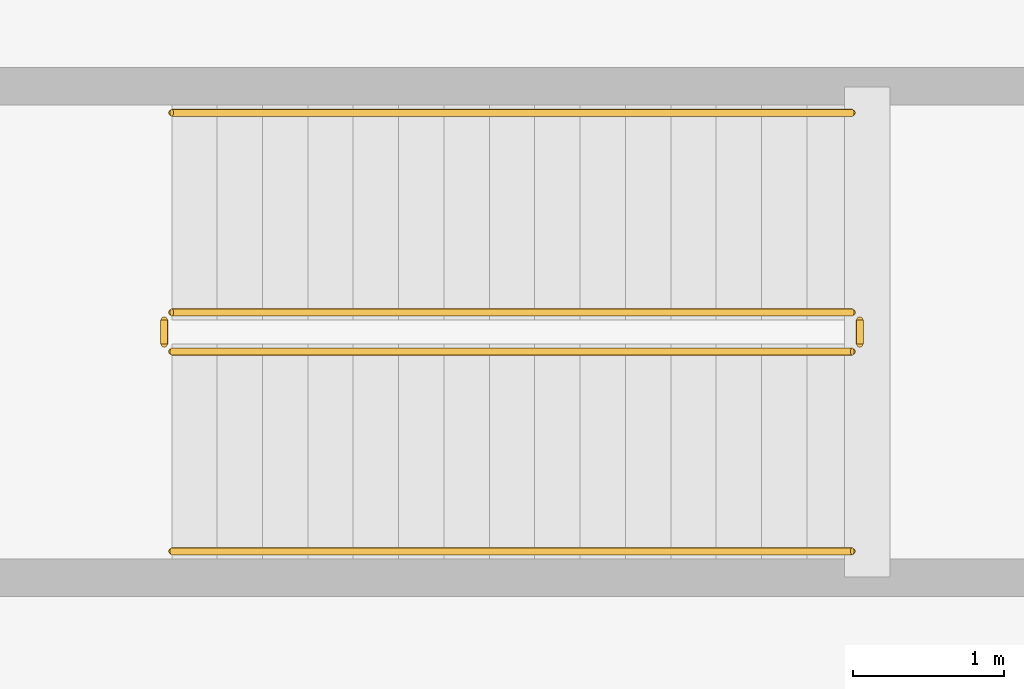
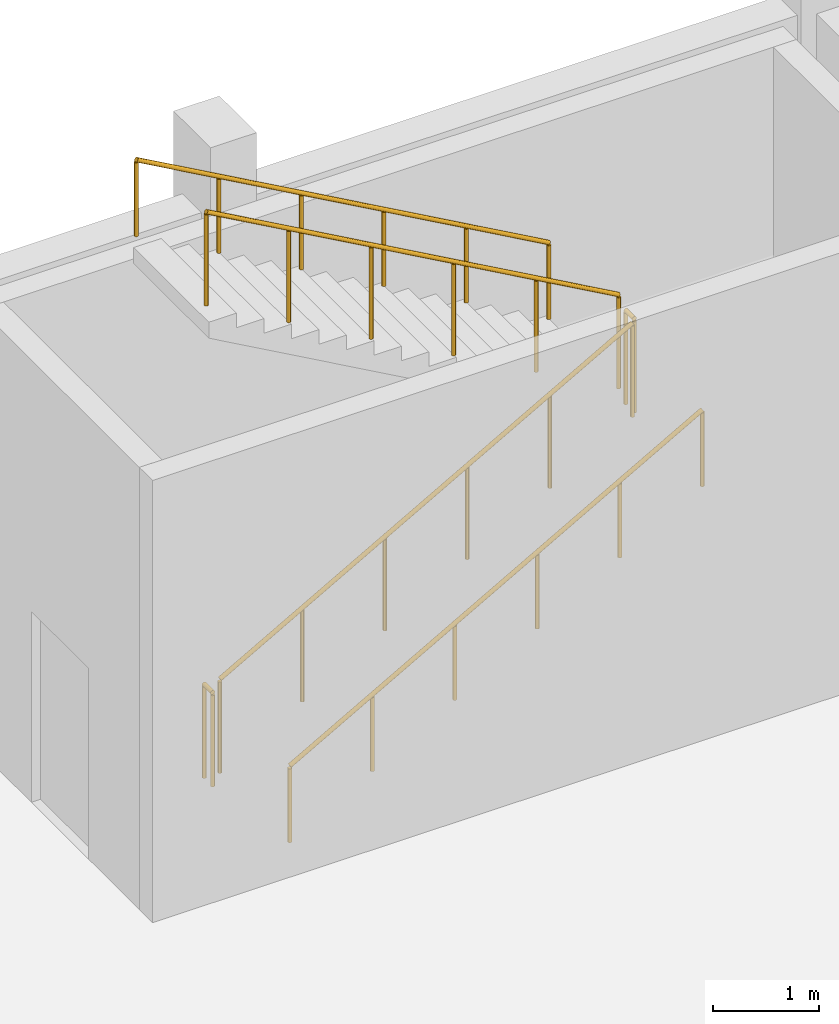
# One storey, part 58 of 72: 6 railings.
"""IFC4 building model written with IfcOpenShell, lengths in metres."""

from ifc_helpers import new_model, si_unit, direction, frame, origin, origin_2d, place, context, subcontext, project, spatial, circle, extrude, material, layer, layer_set, type_object, element, save


model = new_model("IFC4")

# Units and contexts
model_context = context("Model", 3, precision=1e-05, world=origin(), true_north=direction((0.0, 1.0)))
body_context = subcontext(model_context, "Body", "Model", "MODEL_VIEW")
ifc_project = project(units=[si_unit("LENGTHUNIT", "METRE"), si_unit("AREAUNIT", "SQUARE_METRE"), si_unit("VOLUMEUNIT", "CUBIC_METRE"), si_unit("PLANEANGLEUNIT", "RADIAN"), si_unit("MASSUNIT", "GRAM", prefix="KILO")], contexts=[model_context])

# Site, building, storey
site_placement = place(None, origin())
site = spatial("IfcSite", under=ifc_project, at=site_placement, CompositionType="ELEMENT")
building_placement = place(site_placement, origin())
building = spatial("IfcBuilding", under=site, at=building_placement, Name="Dornvale Research Institute", CompositionType="ELEMENT")
storey_placement = place(building_placement, origin())
storey = spatial("IfcBuildingStorey", under=building, at=storey_placement, Name="L00", CompositionType="ELEMENT", Elevation=0.0)

# Railings
ifc_material_1 = material(Name="Galvanized Painted Tubular Steel Stair Rail", Category="steel")
ifc_layer_1 = layer(ifc_material_1, 0.050048828125)
ifc_layer_set_1 = layer_set([ifc_layer_1], Name="Galvanized Painted Tubular Steel Stair Rail")
railing_type_1 = type_object("IfcRailingType", Name="Railing_Stair_Guard_1100", PredefinedType="GUARDRAIL", material=ifc_layer_set_1)
railing_1_placement = place(storey_placement, frame((38.02001953125, 23.570068359375, 0.168701171875)))
element("IfcRailing", 1, at=railing_1_placement, inside=storey, type_object=railing_type_1, Name="L00 ST-10 stair guard 1", PredefinedType="GUARDRAIL", context=body_context, shape_type="SweptSolid", body=[
    extrude(circle(Radius=0.02392578125, at=origin_2d()), frame((0.0, 0.0, 1.076171875), z_axis=(0.871575537125, 0.0, 0.490261239633), x_axis=(0.0, 1.0, 0.0)), (0.0, 0.0, 1.0), 5.1630859375),
    extrude(circle(Radius=0.02099609375, at=origin_2d()), origin(), (0.0, 0.0, 1.0), 1.052001953125),
    extrude(circle(Radius=0.02099609375, at=origin_2d()), frame((0.89990234375, 0.0, 0.50634765625)), (0.0, 0.0, 1.0), 1.052001953125),
    extrude(circle(Radius=0.02099609375, at=origin_2d()), frame((1.800048828125, 0.0, 1.012451171875)), (0.0, 0.0, 1.0), 1.052001953125),
    extrude(circle(Radius=0.02099609375, at=origin_2d()), frame((2.699951171875, 0.0, 1.518798828125)), (0.0, 0.0, 1.0), 1.052001953125),
    extrude(circle(Radius=0.02099609375, at=origin_2d()), frame((3.60009765625, 0.0, 2.02490234375)), (0.0, 0.0, 1.0), 1.052001953125),
    extrude(circle(Radius=0.02099609375, at=origin_2d()), frame((4.5, 0.0, 2.53125)), (0.0, 0.0, 1.0), 1.052001953125),
])
railing_2_placement = place(storey_placement, frame((42.570068359375, 23.6201171875, 2.699951171875)))
element("IfcRailing", 2, at=railing_2_placement, inside=storey, type_object=railing_type_1, Name="L00 ST-10 stair guard 2", PredefinedType="GUARDRAIL", context=body_context, shape_type="SweptSolid", body=[
    extrude(circle(Radius=0.02392578125, at=origin_2d()), frame((0.0, 0.0, 1.076171875), z_axis=(0.0, 1.0, 0.0), x_axis=(-1.0, 0.0, 0.0)), (0.0, 0.0, 1.0), 0.159912109375),
    extrude(circle(Radius=0.02099609375, at=origin_2d()), origin(), (0.0, 0.0, 1.0), 1.052001953125),
    extrude(circle(Radius=0.02099609375, at=origin_2d()), frame((0.0, 0.159912109375, 0.0)), (0.0, 0.0, 1.0), 1.052001953125),
])
railing_3_placement = place(storey_placement, frame((42.52001953125, 23.830078125, 2.86865234375)))
element("IfcRailing", 3, at=railing_3_placement, inside=storey, type_object=railing_type_1, Name="L00 ST-10 stair guard 3", PredefinedType="GUARDRAIL", context=body_context, shape_type="SweptSolid", body=[
    extrude(circle(Radius=0.02392578125, at=origin_2d()), frame((0.0, 0.0, 1.076171875), z_axis=(-0.871575537125, 0.0, 0.490261239633), x_axis=(0.0, -1.0, 0.0)), (0.0, 0.0, 1.0), 5.1630859375),
    extrude(circle(Radius=0.02099609375, at=origin_2d()), origin(), (0.0, 0.0, 1.0), 1.052001953125),
    extrude(circle(Radius=0.02099609375, at=origin_2d()), frame((-0.89990234375, 0.0, 0.50634765625)), (0.0, 0.0, 1.0), 1.052001953125),
    extrude(circle(Radius=0.02099609375, at=origin_2d()), frame((-1.800048828125, 0.0, 1.012451171875)), (0.0, 0.0, 1.0), 1.052001953125),
    extrude(circle(Radius=0.02099609375, at=origin_2d()), frame((-2.699951171875, 0.0, 1.518798828125)), (0.0, 0.0, 1.0), 1.052001953125),
    extrude(circle(Radius=0.02099609375, at=origin_2d()), frame((-3.60009765625, 0.0, 2.02490234375)), (0.0, 0.0, 1.0), 1.052001953125),
    extrude(circle(Radius=0.02099609375, at=origin_2d()), frame((-4.5, 0.0, 2.53125)), (0.0, 0.0, 1.0), 1.052001953125),
])
railing_4_placement = place(storey_placement, frame((37.969970703125, 23.6201171875, 0.0)))
element("IfcRailing", 4, at=railing_4_placement, inside=storey, type_object=railing_type_1, Name="L00 ST-10 stair guard 4", PredefinedType="GUARDRAIL", context=body_context, shape_type="SweptSolid", body=[
    extrude(circle(Radius=0.02392578125, at=origin_2d()), frame((0.0, 0.0, 1.076171875), z_axis=(0.0, 1.0, 0.0), x_axis=(-1.0, 0.0, 0.0)), (0.0, 0.0, 1.0), 0.159912109375),
    extrude(circle(Radius=0.02099609375, at=origin_2d()), origin(), (0.0, 0.0, 1.0), 1.052001953125),
    extrude(circle(Radius=0.02099609375, at=origin_2d()), frame((0.0, 0.159912109375, 0.0)), (0.0, 0.0, 1.0), 1.052001953125),
])
ifc_material_2 = material(Name="Galvanized Painted Tubular Steel Stair Rail", Category="steel")
ifc_layer_2 = layer(ifc_material_2, 0.044921875)
ifc_layer_set_2 = layer_set([ifc_layer_2], Name="Galvanized Painted Tubular Steel Stair Rail")
railing_type_2 = type_object("IfcRailingType", Name="Railing_Stair_Handrail_900", PredefinedType="HANDRAIL", material=ifc_layer_set_2)
railing_5_placement = place(storey_placement, frame((38.02001953125, 22.25, 0.168701171875)))
element("IfcRailing", 5, at=railing_5_placement, inside=storey, type_object=railing_type_2, Name="L00 ST-10 stair handrail 1", PredefinedType="HANDRAIL", context=body_context, shape_type="SweptSolid", body=[
    extrude(circle(Radius=0.02392578125, at=origin_2d()), frame((0.0, 0.0, 0.8759765625), z_axis=(0.871575537125, 0.0, 0.490261239633), x_axis=(0.0, 1.0, 0.0)), (0.0, 0.0, 1.0), 5.1630859375),
    extrude(circle(Radius=0.02099609375, at=origin_2d()), origin(), (0.0, 0.0, 1.0), 0.851806640625),
    extrude(circle(Radius=0.02099609375, at=origin_2d()), frame((0.89990234375, 0.0, 0.50634765625)), (0.0, 0.0, 1.0), 0.851806640625),
    extrude(circle(Radius=0.02099609375, at=origin_2d()), frame((1.800048828125, 0.0, 1.012451171875)), (0.0, 0.0, 1.0), 0.851806640625),
    extrude(circle(Radius=0.02099609375, at=origin_2d()), frame((2.699951171875, 0.0, 1.518798828125)), (0.0, 0.0, 1.0), 0.851806640625),
    extrude(circle(Radius=0.02099609375, at=origin_2d()), frame((3.60009765625, 0.0, 2.02490234375)), (0.0, 0.0, 1.0), 0.851806640625),
    extrude(circle(Radius=0.02099609375, at=origin_2d()), frame((4.5, 0.0, 2.53125)), (0.0, 0.0, 1.0), 0.851806640625),
])
railing_6_placement = place(storey_placement, frame((42.52001953125, 25.14990234375, 2.86865234375)))
element("IfcRailing", 6, at=railing_6_placement, inside=storey, type_object=railing_type_2, Name="L00 ST-10 stair handrail 2", PredefinedType="HANDRAIL", context=body_context, shape_type="SweptSolid", body=[
    extrude(circle(Radius=0.02392578125, at=origin_2d()), frame((0.0, 0.0, 0.8759765625), z_axis=(-0.871575537125, 0.0, 0.490261239633), x_axis=(0.0, -1.0, 0.0)), (0.0, 0.0, 1.0), 5.1630859375),
    extrude(circle(Radius=0.02099609375, at=origin_2d()), origin(), (0.0, 0.0, 1.0), 0.851806640625),
    extrude(circle(Radius=0.02099609375, at=origin_2d()), frame((-0.89990234375, 0.0, 0.50634765625)), (0.0, 0.0, 1.0), 0.851806640625),
    extrude(circle(Radius=0.02099609375, at=origin_2d()), frame((-1.800048828125, 0.0, 1.012451171875)), (0.0, 0.0, 1.0), 0.851806640625),
    extrude(circle(Radius=0.02099609375, at=origin_2d()), frame((-2.699951171875, 0.0, 1.518798828125)), (0.0, 0.0, 1.0), 0.851806640625),
    extrude(circle(Radius=0.02099609375, at=origin_2d()), frame((-3.60009765625, 0.0, 2.02490234375)), (0.0, 0.0, 1.0), 0.851806640625),
    extrude(circle(Radius=0.02099609375, at=origin_2d()), frame((-4.5, 0.0, 2.53125)), (0.0, 0.0, 1.0), 0.851806640625),
])

save(model, "model.ifc")
